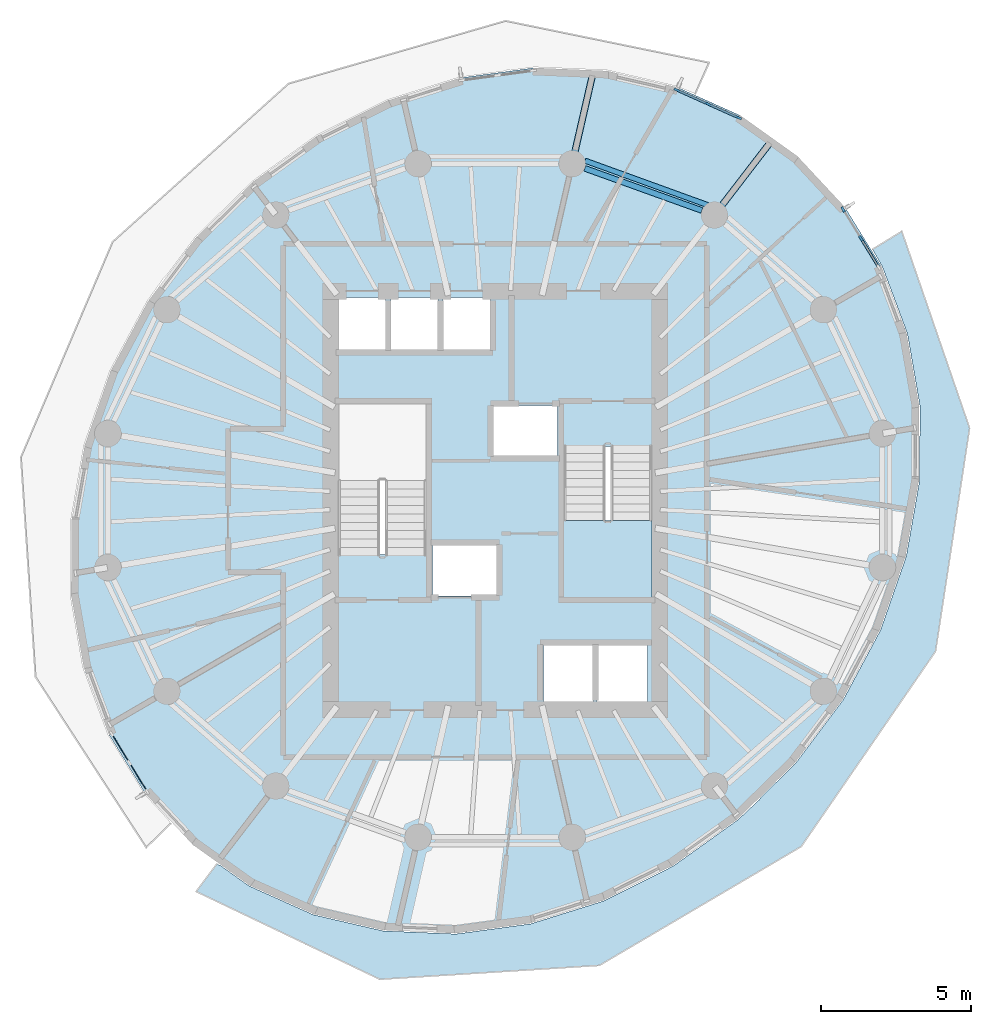
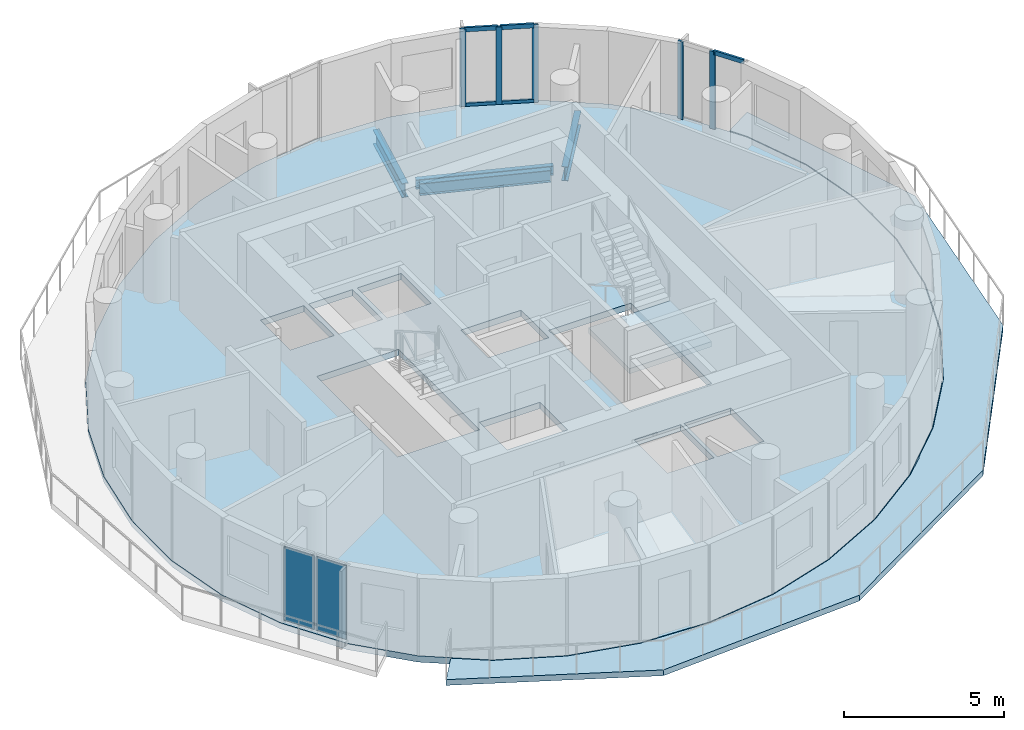
# One storey, part 3 of 10: 10 members, 4 beams, 3 slabs, 2 plates, 4 elements without a shape of their own.
"""IFC4 building model written with IfcOpenShell, lengths in metres."""

from ifc_helpers import new_model, si_unit, direction, frame, origin, origin_2d, place, context, subcontext, project, spatial, polyline, rectangle, i_section, outline, extrude, material, layer, layer_set, material_profile, profile_set, type_object, element, aggregate, save


model = new_model("IFC4")

# Units and contexts
model_context = context("Model", 3, precision=1e-05, world=origin(), true_north=direction((0.0, 1.0)))
body_context = subcontext(model_context, "Body", "Model", "MODEL_VIEW")
ifc_project = project(units=[si_unit("LENGTHUNIT", "METRE"), si_unit("AREAUNIT", "SQUARE_METRE"), si_unit("VOLUMEUNIT", "CUBIC_METRE"), si_unit("PLANEANGLEUNIT", "RADIAN"), si_unit("MASSUNIT", "GRAM", prefix="KILO")], contexts=[model_context])

# Site, building, storey
site_placement = place(None, origin())
site = spatial("IfcSite", under=ifc_project, at=site_placement, CompositionType="ELEMENT")
building_placement = place(site_placement, origin())
building = spatial("IfcBuilding", under=site, at=building_placement, Name="Veldorim Arch Residences", CompositionType="ELEMENT")
storey_placement = place(building_placement, frame((0.0, 0.0, 201.43994140625)))
storey = spatial("IfcBuildingStorey", under=building, at=storey_placement, Name="L60", CompositionType="ELEMENT", Elevation=201.43994140625)

# Beams
ifc_material_1 = material(Name="Steel S355", Category="steel")
ifc_material_profile_1 = material_profile(ifc_material_1, i_section(OverallWidth=0.2119140625, OverallDepth=0.54443359375, WebThickness=0.0126953125, FlangeThickness=0.021240234375, at=origin_2d()), Name="UB533x210x122")
ifc_profile_set_1 = profile_set([ifc_material_profile_1], Name="Steel S355")
beam_type_1 = type_object("IfcBeamType", Name="Structural Steel Beam UB533x210x122", PredefinedType="BEAM", material=ifc_profile_set_1)
beam_1_placement = place(storey_placement, frame((39.345703125, 33.561279296875, -0.51220703125), z_axis=(0.609260847512, 0.792969873128, 0.0), x_axis=(-0.792969873128, 0.609260847512, 0.0)))
element("IfcBeam", 1, at=beam_1_placement, inside=storey, type_object=beam_type_1, Name="L60 radial edge cantilever girder 03", PredefinedType="BEAM", context=body_context, shape_type="SweptSolid", body=[
    extrude(i_section(OverallWidth=0.2119140625, OverallDepth=0.54443359375, WebThickness=0.0126953125, FlangeThickness=0.021240234375, at=origin_2d()), origin(), (0.0, 0.0, 1.0), 3.09521484375),
])
beam_2_placement = place(storey_placement, frame((34.57958984375, 35.27880859375, -0.51220703125), z_axis=(0.222992392333, 0.974820184937, 0.0), x_axis=(-0.974820184937, 0.222992392333, 0.0)))
element("IfcBeam", 2, at=beam_2_placement, inside=storey, type_object=beam_type_1, Name="L60 radial edge cantilever girder 04", PredefinedType="BEAM", context=body_context, shape_type="SweptSolid", body=[
    extrude(i_section(OverallWidth=0.2119140625, OverallDepth=0.54443359375, WebThickness=0.0126953125, FlangeThickness=0.021240234375, at=origin_2d()), origin(), (0.0, 0.0, 1.0), 3.085205078125),
])
ifc_material_2 = material(Name="Steel S355", Category="steel")
ifc_material_profile_2 = material_profile(ifc_material_2, i_section(OverallWidth=0.172119140625, OverallDepth=0.35791015625, WebThickness=0.008056640625, FlangeThickness=0.012939453125, at=origin_2d()), Name="UB356x171x57")
ifc_profile_set_2 = profile_set([ifc_material_profile_2], Name="Steel S355")
beam_type_2 = type_object("IfcBeamType", Name="Structural Steel Spandrel UB356x171x57", PredefinedType="SPANDREL", material=ifc_profile_set_2)
beam_3_placement = place(storey_placement, frame((39.112060546875, 33.87646484375, -0.43896484375), z_axis=(-0.940164695555, 0.340720332871, 0.0), x_axis=(-0.340720332871, -0.940164695555, 0.0)))
element("IfcBeam", 3, at=beam_3_placement, inside=storey, type_object=beam_type_2, Name="L60 perimeter chord spandrel beam 03", PredefinedType="SPANDREL", context=body_context, shape_type="SweptSolid", body=[
    extrude(i_section(OverallWidth=0.172119140625, OverallDepth=0.35791015625, WebThickness=0.008056640625, FlangeThickness=0.012939453125, at=origin_2d()), origin(), (0.0, 0.0, 1.0), 4.370849609375),
])
ifc_material_3 = material(Name="Steel S355", Category="steel")
ifc_material_profile_3 = material_profile(ifc_material_3, i_section(OverallWidth=0.19140625, OverallDepth=0.4599609375, WebThickness=0.010009765625, FlangeThickness=0.01611328125, at=origin_2d()), Name="UB457x191x82")
ifc_profile_set_3 = profile_set([ifc_material_profile_3], Name="Steel S355")
beam_type_3 = type_object("IfcBeamType", Name="Structural Steel Spandrel UB457x191x82", PredefinedType="SPANDREL", material=ifc_profile_set_3)
beam_4_placement = place(storey_placement, frame((38.91015625, 33.69775390625, -0.469970703125), z_axis=(-0.940811035395, 0.338931550137, 0.0), x_axis=(-0.338931550137, -0.940811035395, 0.0)))
element("IfcBeam", 4, at=beam_4_placement, inside=storey, type_object=beam_type_3, Name="L60 perimeter ring tie beam 03", PredefinedType="SPANDREL", context=body_context, shape_type="SweptSolid", body=[
    extrude(i_section(OverallWidth=0.19140625, OverallDepth=0.4599609375, WebThickness=0.010009765625, FlangeThickness=0.01611328125, at=origin_2d()), origin(), (0.0, 0.0, 1.0), 4.15771484375),
])

# Curtain wall, members
ifc_material_4 = material(Name="Aluminium", Category="aluminium")
curtain_wall_type = type_object("IfcCurtainWallType", Name="Zone 4 High-Altitude Unitised Curtain Wall", PredefinedType="NOTDEFINED", material=ifc_material_4)
curtain_wall_1_placement = place(storey_placement, origin())
curtain_wall_1 = element("IfcCurtainWall", 5, at=curtain_wall_1_placement, inside=storey, type_object=curtain_wall_type, Name="L60 unitised curtain wall bay 02", PredefinedType="NOTDEFINED")
ifc_material_5 = material(Name="Aluminium", Category="aluminium")
ifc_material_profile_4 = material_profile(ifc_material_5, rectangle(XDim=0.074951171875, YDim=0.195068359375, at=origin_2d()), Name="ALU_MUL_75x195")
ifc_profile_set_4 = profile_set([ifc_material_profile_4], Name="Aluminium")
member_type_1 = type_object("IfcMemberType", Name="Zone 4 High-Altitude Unitised Curtain Wall Mullion 75x195", PredefinedType="MULLION", material=ifc_profile_set_4)
member_1_placement = place(storey_placement, frame((38.071533203125, 37.726806640625, 0.0), z_axis=(0.0, 0.0, 1.0), x_axis=(0.409148886329, 0.912467637133, 0.0)))
member_1 = element("IfcMember", 6, at=member_1_placement, type_object=member_type_1, Name="CW-Z4 mullion 1", PredefinedType="MULLION", context=body_context, shape_type="SweptSolid", body=[
    extrude(rectangle(XDim=0.074951171875, YDim=0.195068359375, at=origin_2d()), origin(), (0.0, 0.0, 1.0), 2.9599609375),
])
member_2_placement = place(storey_placement, frame((39.10791015625, 37.261962890625, 0.0), z_axis=(0.0, 0.0, 1.0), x_axis=(0.409148886329, 0.912467637133, 0.0)))
member_2 = element("IfcMember", 7, at=member_2_placement, type_object=member_type_1, Name="CW-Z4 mullion 2", PredefinedType="MULLION", context=body_context, shape_type="SweptSolid", body=[
    extrude(rectangle(XDim=0.074951171875, YDim=0.195068359375, at=origin_2d()), origin(), (0.0, 0.0, 1.0), 2.9599609375),
])
member_3_placement = place(storey_placement, frame((40.14453125, 36.79736328125, 0.0), z_axis=(0.0, 0.0, 1.0), x_axis=(0.409148886329, 0.912467637133, 0.0)))
member_3 = element("IfcMember", 8, at=member_3_placement, type_object=member_type_1, Name="CW-Z4 mullion 3", PredefinedType="MULLION", context=body_context, shape_type="SweptSolid", body=[
    extrude(rectangle(XDim=0.074951171875, YDim=0.195068359375, at=origin_2d()), origin(), (0.0, 0.0, 1.0), 2.9599609375),
])

curtain_wall_2_placement = place(storey_placement, origin())
curtain_wall_2 = element("IfcCurtainWall", 9, at=curtain_wall_2_placement, inside=storey, type_object=curtain_wall_type, Name="L60 unitised curtain wall bay 35", PredefinedType="NOTDEFINED")
member_4_placement = place(storey_placement, frame((43.634765625, 33.73291015625, 0.0), z_axis=(0.0, 0.0, 1.0), x_axis=(0.851801663929, 0.523864415023, 0.0)))
member_4 = element("IfcMember", 10, at=member_4_placement, type_object=member_type_1, Name="CW-Z4 mullion 1", PredefinedType="MULLION", context=body_context, shape_type="SweptSolid", body=[
    extrude(rectangle(XDim=0.074951171875, YDim=0.195068359375, at=origin_2d()), origin(), (0.0, 0.0, 1.0), 2.9599609375),
])
member_5_placement = place(storey_placement, frame((44.22998046875, 32.765380859375, 0.0), z_axis=(0.0, 0.0, 1.0), x_axis=(0.851801663929, 0.523864415023, 0.0)))
member_5 = element("IfcMember", 11, at=member_5_placement, type_object=member_type_1, Name="CW-Z4 mullion 2", PredefinedType="MULLION", context=body_context, shape_type="SweptSolid", body=[
    extrude(rectangle(XDim=0.074951171875, YDim=0.195068359375, at=origin_2d()), origin(), (0.0, 0.0, 1.0), 2.9599609375),
])

# Member
ifc_material_6 = material(Name="Aluminium", Category="aluminium")
ifc_material_profile_5 = material_profile(ifc_material_6, rectangle(XDim=0.074951171875, YDim=0.1650390625, at=origin_2d()), Name="ALU_TRN_75x165")
ifc_profile_set_5 = profile_set([ifc_material_profile_5], Name="Aluminium")
member_type_2 = type_object("IfcMemberType", Name="Zone 4 High-Altitude Unitised Curtain Wall Transom 75x165", PredefinedType="USERDEFINED", material=ifc_profile_set_5)
member_6_placement = place(storey_placement, frame((38.105712890625, 37.71142578125, 0.03759765625), z_axis=(0.912458962781, -0.409168230977, 0.0), x_axis=(0.409168230977, 0.912458962781, 0.0)))
member_6 = element("IfcMember", 12, at=member_6_placement, type_object=member_type_2, Name="CW-Z4 transom 1.1", ObjectType="TRANSOM", PredefinedType="USERDEFINED", context=body_context, shape_type="SweptSolid", body=[
    extrude(rectangle(XDim=0.074951171875, YDim=0.1650390625, at=origin_2d()), origin(), (0.0, 0.0, 1.0), 1.060791015625),
])

member_7_placement = place(storey_placement, frame((38.105712890625, 37.71142578125, 2.922607421875), z_axis=(0.912458962781, -0.409168230977, 0.0), x_axis=(0.409168230977, 0.912458962781, 0.0)))
member_7 = element("IfcMember", 13, at=member_7_placement, type_object=member_type_2, Name="CW-Z4 transom 1.2", ObjectType="TRANSOM", PredefinedType="USERDEFINED", context=body_context, shape_type="SweptSolid", body=[
    extrude(rectangle(XDim=0.074951171875, YDim=0.1650390625, at=origin_2d()), origin(), (0.0, 0.0, 1.0), 1.060791015625),
])

member_8_placement = place(storey_placement, frame((39.142333984375, 37.24658203125, 0.03759765625), z_axis=(0.912458962781, -0.409168230977, 0.0), x_axis=(0.409168230977, 0.912458962781, 0.0)))
member_8 = element("IfcMember", 14, at=member_8_placement, type_object=member_type_2, Name="CW-Z4 transom 2.1", ObjectType="TRANSOM", PredefinedType="USERDEFINED", context=body_context, shape_type="SweptSolid", body=[
    extrude(rectangle(XDim=0.074951171875, YDim=0.1650390625, at=origin_2d()), origin(), (0.0, 0.0, 1.0), 1.060791015625),
])

member_9_placement = place(storey_placement, frame((39.142333984375, 37.24658203125, 2.922607421875), z_axis=(0.912458962781, -0.409168230977, 0.0), x_axis=(0.409168230977, 0.912458962781, 0.0)))
member_9 = element("IfcMember", 15, at=member_9_placement, type_object=member_type_2, Name="CW-Z4 transom 2.2", ObjectType="TRANSOM", PredefinedType="USERDEFINED", context=body_context, shape_type="SweptSolid", body=[
    extrude(rectangle(XDim=0.074951171875, YDim=0.1650390625, at=origin_2d()), origin(), (0.0, 0.0, 1.0), 1.060791015625),
])

aggregate(curtain_wall_1, [member_1, member_2, member_3, member_6, member_7, member_8, member_9])

member_10_placement = place(storey_placement, frame((44.24951171875, 32.7333984375, 2.922607421875), z_axis=(0.524007543384, -0.851713622338, 0.0), x_axis=(0.851713622338, 0.524007543384, 0.0)))
member_10 = element("IfcMember", 16, at=member_10_placement, type_object=member_type_2, Name="CW-Z4 transom 2.2", ObjectType="TRANSOM", PredefinedType="USERDEFINED", context=body_context, shape_type="SweptSolid", body=[
    extrude(rectangle(XDim=0.074951171875, YDim=0.1650390625, at=origin_2d()), origin(), (0.0, 0.0, 1.0), 1.060791015625),
])

aggregate(curtain_wall_2, [member_4, member_5, member_10])

# Slab
ifc_material_7 = material(Name="Concrete C40/50", Category="concrete")
ifc_layer_1 = layer(ifc_material_7, 0.219970703125, Name="Planted Crescent Cantilever Balcony Slab 220")
ifc_layer_set_1 = layer_set([ifc_layer_1], Name="Concrete C40/50")
slab_type_1 = type_object("IfcSlabType", Name="Planted Crescent Cantilever Balcony Slab 220", PredefinedType="FLOOR", material=ifc_layer_set_1)
slab_1_placement = place(storey_placement, frame((0.0, 0.0, -0.219970703125)))
element("IfcSlab", 17, at=slab_1_placement, inside=storey, type_object=slab_type_1, Name="L60 planted crescent balcony slab B", PredefinedType="FLOOR", context=body_context, shape_type="SweptSolid", body=[
    extrude(outline(polyline([(22.8125, 11.79931640625), (23.77197265625, 11.1142578125), (25.91796875, 10.152099609375), (28.24853515625, 9.61083984375), (30.69287109375, 9.5068359375), (33.1767578125, 9.843505859375), (35.62451171875, 10.60986328125), (37.96240234375, 11.783203125), (40.118896484375, 13.327392578125), (40.820556640625, 13.9833984375), (40.89111328125, 14.0830078125), (42.02880859375, 15.19580078125), (43.634033203125, 17.33154296875), (44.885986328125, 19.669921875), (45.74658203125, 22.139892578125), (46.189697265625, 24.66650390625), (46.197021484375, 26.152587890625), (46.222412109375, 26.2763671875), (46.197998046875, 26.369384765625), (46.201904296875, 27.1728515625), (45.7822265625, 29.583251953125), (44.94384765625, 31.823974609375), (44.61572265625, 32.398681640625), (45.59619140625, 32.999755859375), (47.863525390625, 26.423095703125), (46.723388671875, 18.954345703125), (42.234375, 12.4306640625), (35.486328125, 8.456298828125), (28.14404296875, 7.9912109375), (22.00048828125, 10.927001953125), (22.690673828125, 11.8466796875), (22.8125, 11.79931640625)])), origin(), (0.0, 0.0, 1.0), 0.219970703125),
])

# Stair, slab
ifc_material_8 = material(Name="Concrete C40/50", Category="concrete")
stair_type = type_object("IfcStairType", Name="Reinforced Concrete Dogleg Exit Staircase", PredefinedType="HALF_TURN_STAIR", material=ifc_material_8)
stair_placement = place(storey_placement, origin())
stair = element("IfcStair", 18, at=stair_placement, inside=storey, type_object=stair_type, Name="L60 Exit Staircase ST-2", PredefinedType="HALF_TURN_STAIR")
ifc_material_9 = material(Name="Concrete C40/50", Category="concrete")
ifc_layer_2 = layer(ifc_material_9, 0.199951171875, Name="Reinforced Concrete Stair Landing 200")
ifc_layer_set_2 = layer_set([ifc_layer_2], Name="Concrete C40/50")
slab_type_2 = type_object("IfcSlabType", Name="Reinforced Concrete Stair Landing 200", PredefinedType="LANDING", material=ifc_layer_set_2)
slab_2_placement = place(storey_placement, frame((0.0, 0.0, 1.400146484375)))
slab_2 = element("IfcSlab", 19, at=slab_2_placement, type_object=slab_type_2, Name="ST-2 landing 1", PredefinedType="LANDING", context=body_context, shape_type="SweptSolid", body=[
    extrude(outline(polyline([(34.2900390625, 23.330078125), (34.2900390625, 20.75), (37.25, 20.75), (37.25, 23.330078125), (34.2900390625, 23.330078125)])), origin(), (0.0, 0.0, 1.0), 0.199951171875),
])
aggregate(stair, [slab_2])

# Slab
ifc_material_10 = material(Name="Concrete C40/50", Category="concrete")
ifc_layer_3 = layer(ifc_material_10, 0.239990234375, Name="Typical Residential Floor Slab 240")
ifc_layer_set_3 = layer_set([ifc_layer_3], Name="Concrete C40/50")
slab_type_3 = type_object("IfcSlabType", Name="Typical Residential Floor Slab 240", PredefinedType="FLOOR", material=ifc_layer_set_3)
slab_3_placement = place(storey_placement, frame((0.0, 0.0, -0.239990234375)))
element("IfcSlab", 20, at=slab_3_placement, inside=storey, type_object=slab_type_3, Name="L60 tower structural floor slab", PredefinedType="FLOOR", context=body_context, shape_type="SweptSolid", body=[
    extrude(outline(polyline([(42.107177734375, 35.512939453125), (40.215576171875, 36.864013671875), (38.07421875, 37.82421875), (35.748046875, 38.3642578125), (33.308349609375, 38.468017578125), (30.828857421875, 38.132080078125), (28.384765625, 37.36669921875), (26.050537109375, 36.1953125), (23.897216796875, 34.6533203125), (21.989990234375, 32.78759765625), (20.38720703125, 30.655029296875), (19.136962890625, 28.320068359375), (18.277587890625, 25.85400390625), (17.835205078125, 23.331298828125), (17.8232421875, 20.829345703125), (18.241943359375, 18.42333984375), (19.07861328125, 16.18701171875), (20.30810546875, 14.18798828125), (21.892822265625, 12.487060546875), (23.784423828125, 11.135986328125), (25.92578125, 10.17578125), (28.251953125, 9.6357421875), (30.691650390625, 9.531982421875), (33.171142578125, 9.867919921875), (35.615234375, 10.63330078125), (37.949462890625, 11.8046875), (40.102783203125, 13.3466796875), (42.010009765625, 15.21240234375), (43.61279296875, 17.344970703125), (44.863037109375, 19.679931640625), (45.722412109375, 22.14599609375), (46.164794921875, 24.668701171875), (46.1767578125, 27.170654296875), (45.758056640625, 29.57666015625), (44.92138671875, 31.81298828125), (43.69189453125, 33.81201171875), (42.107177734375, 35.512939453125)]), holes=[polyline([(33.610107421875, 17.2099609375), (33.610107421875, 19.2900390625), (35.2900390625, 19.2900390625), (35.2900390625, 17.2099609375), (33.610107421875, 17.2099609375)]), polyline([(35.409912109375, 17.2099609375), (35.409912109375, 19.2900390625), (37.090087890625, 19.2900390625), (37.090087890625, 17.2099609375), (35.409912109375, 17.2099609375)]), polyline([(29.909912109375, 20.81494140625), (29.909912109375, 22.544921875), (32.090087890625, 22.544921875), (32.090087890625, 20.81494140625), (29.909912109375, 20.81494140625)]), polyline([(34.2900390625, 20.75), (34.2900390625, 25.804931640625), (37.25, 25.804931640625), (37.25, 20.75), (34.2900390625, 20.75)]), polyline([(26.75, 22.195068359375), (26.75, 27.25), (29.7099609375, 27.25), (29.7099609375, 22.195068359375), (26.75, 22.195068359375)]), polyline([(31.909912109375, 25.455078125), (31.909912109375, 27.18505859375), (34.090087890625, 27.18505859375), (34.090087890625, 25.455078125), (31.909912109375, 25.455078125)]), polyline([(26.760009765625, 28.909912109375), (26.760009765625, 30.7900390625), (28.340087890625, 30.7900390625), (28.340087890625, 28.909912109375), (26.760009765625, 28.909912109375)]), polyline([(28.510009765625, 30.7900390625), (30.090087890625, 30.7900390625), (30.090087890625, 28.909912109375), (28.510009765625, 28.909912109375), (28.510009765625, 30.7900390625)]), polyline([(30.260009765625, 30.7900390625), (31.840087890625, 30.7900390625), (31.840087890625, 28.909912109375), (30.260009765625, 28.909912109375), (30.260009765625, 30.7900390625)])]), origin(), (0.0, 0.0, 1.0), 0.239990234375),
])

# Curtain wall, plates
curtain_wall_3_placement = place(storey_placement, origin())
curtain_wall_3 = element("IfcCurtainWall", 21, at=curtain_wall_3_placement, inside=storey, type_object=curtain_wall_type, Name="L60 unitised curtain wall bay 17", PredefinedType="NOTDEFINED")
ifc_material_11 = material(Name="Laminated Low-E Glass", Category="glass")
ifc_layer_4 = layer(ifc_material_11, 0.030029296875, Name="Zone 4 High-Altitude Unitised Curtain Wall Glazing Panel 30")
ifc_layer_set_4 = layer_set([ifc_layer_4], Name="Laminated Low-E Glass")
plate_type = type_object("IfcPlateType", Name="Zone 4 High-Altitude Unitised Curtain Wall Glazing Panel 30", PredefinedType="CURTAIN_PANEL", material=ifc_layer_set_4)
plate_1_placement = place(storey_placement, frame((20.067626953125, 14.750732421875, 0.074951171875), z_axis=(0.0, 0.0, 1.0), x_axis=(-0.523864415023, 0.851801663929, 0.0)))
plate_1 = element("IfcPlate", 22, at=plate_1_placement, type_object=plate_type, Name="CW-Z4 panel 1.1", PredefinedType="CURTAIN_PANEL", context=body_context, shape_type="SweptSolid", body=[
    extrude(rectangle(XDim=1.060791015625, YDim=0.030029296875, at=origin_2d()), origin(), (0.0, 0.0, 1.0), 2.81005859375),
])
plate_2_placement = place(storey_placement, frame((19.47265625, 15.71826171875, 0.074951171875), z_axis=(0.0, 0.0, 1.0), x_axis=(-0.523864415023, 0.851801663929, 0.0)))
plate_2 = element("IfcPlate", 23, at=plate_2_placement, type_object=plate_type, Name="CW-Z4 panel 2.1", PredefinedType="CURTAIN_PANEL", context=body_context, shape_type="SweptSolid", body=[
    extrude(rectangle(XDim=1.060791015625, YDim=0.030029296875, at=origin_2d()), origin(), (0.0, 0.0, 1.0), 2.81005859375),
])
aggregate(curtain_wall_3, [plate_1, plate_2])

save(model, "model.ifc")
